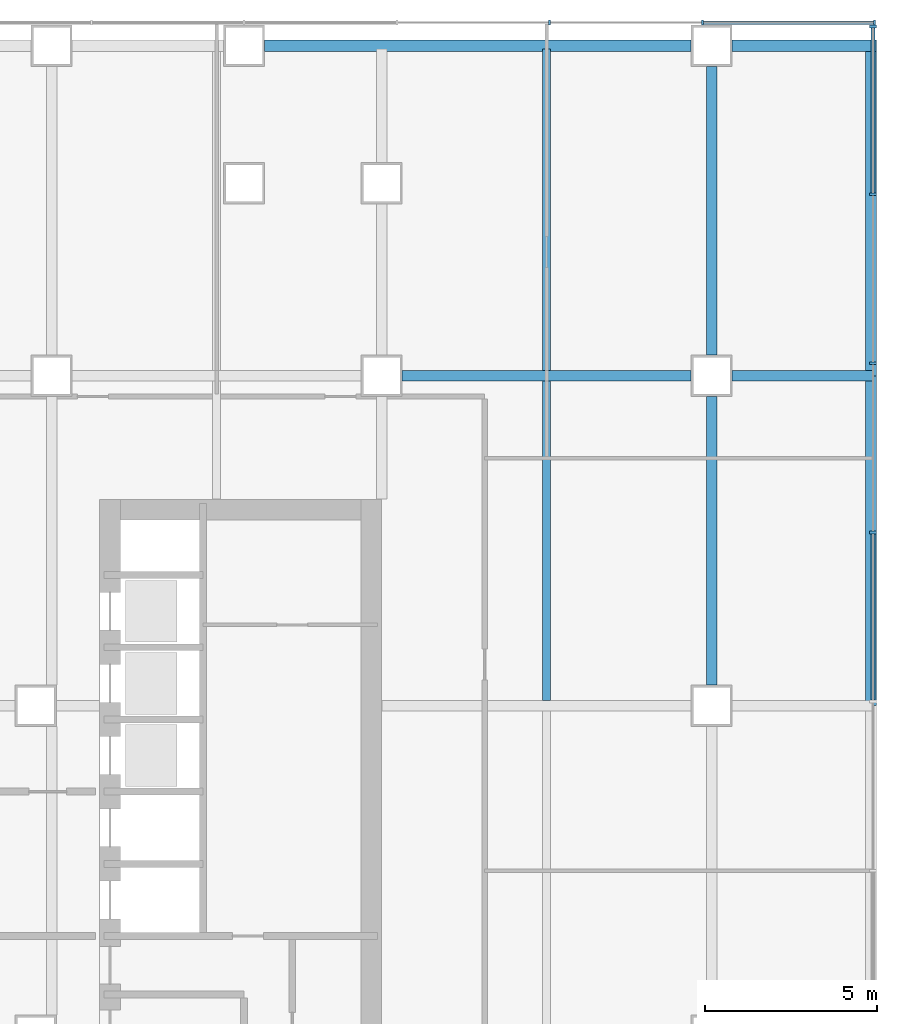
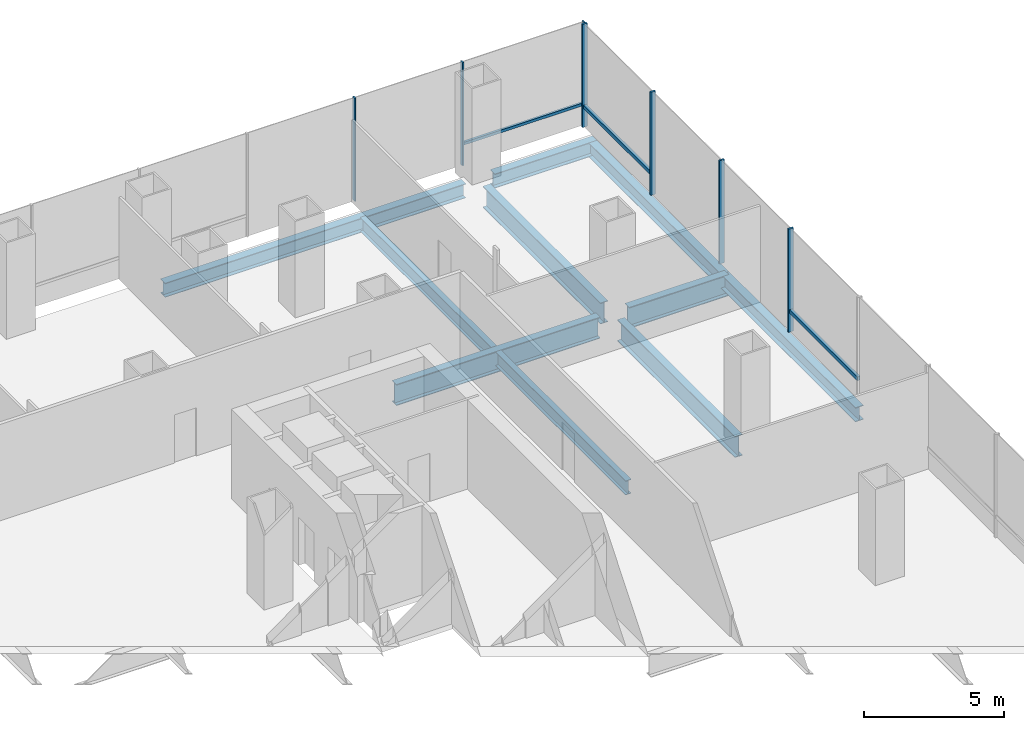
# One storey, part 13 of 23: 10 beams, 10 members, 2 elements without a shape of their own.
"""IFC4 building model written with IfcOpenShell, lengths in metres."""

from ifc_helpers import new_model, si_unit, direction, frame, origin, origin_2d, place, context, subcontext, project, spatial, rectangle, i_section, extrude, material, material_profile, profile_set, type_object, element, aggregate, save


model = new_model("IFC4")

# Units and contexts
model_context = context("Model", 3, precision=1e-05, world=origin(), true_north=direction((0.0, 1.0)))
body_context = subcontext(model_context, "Body", "Model", "MODEL_VIEW")
ifc_project = project(units=[si_unit("LENGTHUNIT", "METRE"), si_unit("AREAUNIT", "SQUARE_METRE"), si_unit("VOLUMEUNIT", "CUBIC_METRE"), si_unit("PLANEANGLEUNIT", "RADIAN"), si_unit("MASSUNIT", "GRAM", prefix="KILO")], contexts=[model_context])

# Site, building, storey
site_placement = place(None, origin())
site = spatial("IfcSite", under=ifc_project, at=site_placement, CompositionType="ELEMENT")
building_placement = place(site_placement, origin())
building = spatial("IfcBuilding", under=site, at=building_placement, Name="Cobrizo Arcos Hotel Tower", CompositionType="ELEMENT")
storey_placement = place(building_placement, frame((0.0, 0.0, 29.0)))
storey = spatial("IfcBuildingStorey", under=building, at=storey_placement, Name="L05", CompositionType="ELEMENT", Elevation=29.0)

# Curtain wall, members
ifc_material_1 = material(Name="Aluminium 6063-T6 anodised bronze", Category="aluminium")
curtain_wall_type_1 = type_object("IfcCurtainWallType", Name="CW-A guest facade", PredefinedType="NOTDEFINED", material=ifc_material_1)
curtain_wall_1_placement = place(storey_placement, origin())
curtain_wall_1 = element("IfcCurtainWall", 1, at=curtain_wall_1_placement, inside=storey, type_object=curtain_wall_type_1, Name="CW-A L05 N face", PredefinedType="NOTDEFINED")
ifc_material_profile_1 = material_profile(ifc_material_1, rectangle(XDim=0.14990234375, YDim=0.06005859375, at=origin_2d()), Name="CW-A mullion 150x60")
ifc_profile_set_1 = profile_set([ifc_material_profile_1], Name="Aluminium 6063-T6 anodised bronze")
member_type_1 = type_object("IfcMemberType", Name="CW-A mullion 150x60", PredefinedType="MULLION", material=ifc_profile_set_1)
member_1_placement = place(storey_placement, frame((38.344970703125, 24.675048828125, 0.0), z_axis=(0.0, 0.0, 1.0), x_axis=(0.0, 1.0, 0.0)))
member_1 = element("IfcMember", 2, at=member_1_placement, type_object=member_type_1, Name="CW-A mullion 1", PredefinedType="MULLION", context=body_context, shape_type="SweptSolid", body=[
    extrude(rectangle(XDim=0.14990234375, YDim=0.06005859375, at=origin_2d()), origin(), (0.0, 0.0, 1.0), 4.5),
])
member_2_placement = place(storey_placement, frame((33.333251953125, 24.675048828125, 0.0), z_axis=(0.0, 0.0, 1.0), x_axis=(0.0, 1.0, 0.0)))
member_2 = element("IfcMember", 3, at=member_2_placement, type_object=member_type_1, Name="CW-A mullion 2", PredefinedType="MULLION", context=body_context, shape_type="SweptSolid", body=[
    extrude(rectangle(XDim=0.14990234375, YDim=0.06005859375, at=origin_2d()), origin(), (0.0, 0.0, 1.0), 4.5),
])
member_3_placement = place(storey_placement, frame((28.888916015625, 24.675048828125, 0.0), z_axis=(0.0, 0.0, 1.0), x_axis=(0.0, 1.0, 0.0)))
member_3 = element("IfcMember", 4, at=member_3_placement, type_object=member_type_1, Name="CW-A mullion 3", PredefinedType="MULLION", context=body_context, shape_type="SweptSolid", body=[
    extrude(rectangle(XDim=0.14990234375, YDim=0.06005859375, at=origin_2d()), origin(), (0.0, 0.0, 1.0), 4.5),
])
ifc_material_profile_2 = material_profile(ifc_material_1, rectangle(XDim=0.10009765625, YDim=0.1201171875, at=origin_2d()), Name="CW-A transom 120x100")
ifc_profile_set_2 = profile_set([ifc_material_profile_2], Name="Aluminium 6063-T6 anodised bronze")
member_type_2 = type_object("IfcMemberType", Name="CW-A transom 120x100", PredefinedType="USERDEFINED", material=ifc_profile_set_2)
member_4_placement = place(storey_placement, frame((38.31494140625, 24.675048828125, 0.929931640625), z_axis=(-1.0, 0.0, 0.0), x_axis=(0.0, -1.0, 0.0)))
member_4 = element("IfcMember", 5, at=member_4_placement, type_object=member_type_2, Name="CW-A transom 279", ObjectType="TRANSOM", PredefinedType="USERDEFINED", context=body_context, shape_type="SweptSolid", body=[
    extrude(rectangle(XDim=0.10009765625, YDim=0.1201171875, at=origin_2d()), origin(), (0.0, 0.0, 1.0), 4.95166015625),
])
aggregate(curtain_wall_1, [member_1, member_2, member_3, member_4])

curtain_wall_type_2 = type_object("IfcCurtainWallType", Name="CW-B podium glazing", PredefinedType="NOTDEFINED", material=ifc_material_1)
curtain_wall_2_placement = place(storey_placement, origin())
curtain_wall_2 = element("IfcCurtainWall", 6, at=curtain_wall_2_placement, inside=storey, type_object=curtain_wall_type_2, Name="CW-B L05 E face", PredefinedType="NOTDEFINED")
ifc_material_profile_3 = material_profile(ifc_material_1, rectangle(XDim=0.199951171875, YDim=0.080078125, at=origin_2d()), Name="CW-B mullion 200x80")
ifc_profile_set_3 = profile_set([ifc_material_profile_3], Name="Aluminium 6063-T6 anodised bronze")
member_type_3 = type_object("IfcMemberType", Name="CW-B mullion 200x80", PredefinedType="MULLION", material=ifc_profile_set_3)
member_5_placement = place(storey_placement, frame((38.300048828125, 9.840087890625, 0.0), z_axis=(0.0, 0.0, 1.0), x_axis=(1.0, 0.0, 0.0)))
member_5 = element("IfcMember", 7, at=member_5_placement, type_object=member_type_3, Name="CW-B mullion 8", PredefinedType="MULLION", context=body_context, shape_type="SweptSolid", body=[
    extrude(rectangle(XDim=0.199951171875, YDim=0.080078125, at=origin_2d()), origin(), (0.0, 0.0, 1.0), 4.5),
])
member_6_placement = place(storey_placement, frame((38.300048828125, 14.760009765625, 0.0), z_axis=(0.0, 0.0, 1.0), x_axis=(1.0, 0.0, 0.0)))
member_6 = element("IfcMember", 8, at=member_6_placement, type_object=member_type_3, Name="CW-B mullion 9", PredefinedType="MULLION", context=body_context, shape_type="SweptSolid", body=[
    extrude(rectangle(XDim=0.199951171875, YDim=0.080078125, at=origin_2d()), origin(), (0.0, 0.0, 1.0), 4.5),
])
member_7_placement = place(storey_placement, frame((38.300048828125, 19.679931640625, 0.0), z_axis=(0.0, 0.0, 1.0), x_axis=(1.0, 0.0, 0.0)))
member_7 = element("IfcMember", 9, at=member_7_placement, type_object=member_type_3, Name="CW-B mullion 10", PredefinedType="MULLION", context=body_context, shape_type="SweptSolid", body=[
    extrude(rectangle(XDim=0.199951171875, YDim=0.080078125, at=origin_2d()), origin(), (0.0, 0.0, 1.0), 4.5),
])
member_8_placement = place(storey_placement, frame((38.300048828125, 24.56005859375, 0.0), z_axis=(0.0, 0.0, 1.0), x_axis=(1.0, 0.0, 0.0)))
member_8 = element("IfcMember", 10, at=member_8_placement, type_object=member_type_3, Name="CW-B mullion 11", PredefinedType="MULLION", context=body_context, shape_type="SweptSolid", body=[
    extrude(rectangle(XDim=0.199951171875, YDim=0.080078125, at=origin_2d()), origin(), (0.0, 0.0, 1.0), 4.5),
])
ifc_material_profile_4 = material_profile(ifc_material_1, rectangle(XDim=0.1201171875, YDim=0.159912109375, at=origin_2d()), Name="CW-B transom 160x120")
ifc_profile_set_4 = profile_set([ifc_material_profile_4], Name="Aluminium 6063-T6 anodised bronze")
member_type_4 = type_object("IfcMemberType", Name="CW-B transom 160x120", PredefinedType="USERDEFINED", material=ifc_profile_set_4)
member_9_placement = place(storey_placement, frame((38.300048828125, 4.9599609375, 0.89990234375), z_axis=(0.0, 1.0, 0.0), x_axis=(-1.0, 0.0, 0.0)))
member_9 = element("IfcMember", 11, at=member_9_placement, type_object=member_type_4, Name="CW-B transom 275", ObjectType="TRANSOM", PredefinedType="USERDEFINED", context=body_context, shape_type="SweptSolid", body=[
    extrude(rectangle(XDim=0.1201171875, YDim=0.159912109375, at=origin_2d()), origin(), (0.0, 0.0, 1.0), 4.840087890625),
])
member_10_placement = place(storey_placement, frame((38.300048828125, 19.719970703125, 0.89990234375), z_axis=(0.0, 1.0, 0.0), x_axis=(-1.0, 0.0, 0.0)))
member_10 = element("IfcMember", 12, at=member_10_placement, type_object=member_type_4, Name="CW-B transom 278", ObjectType="TRANSOM", PredefinedType="USERDEFINED", context=body_context, shape_type="SweptSolid", body=[
    extrude(rectangle(XDim=0.1201171875, YDim=0.159912109375, at=origin_2d()), origin(), (0.0, 0.0, 1.0), 4.800048828125),
])
aggregate(curtain_wall_2, [member_5, member_6, member_7, member_8, member_9, member_10])

# Beams
ifc_material_2 = material(Name="Steel ASTM A992 Grade 50", Category="steel")
ifc_material_profile_5 = material_profile(ifc_material_2, i_section(OverallWidth=0.32763671875, OverallDepth=0.622314453125, WebThickness=0.015380859375, FlangeThickness=0.0244140625, at=origin_2d()), Name="W24X131")
ifc_profile_set_5 = profile_set([ifc_material_profile_5], Name="Steel ASTM A992 Grade 50")
beam_type_1 = type_object("IfcBeamType", Name="W24X131 edge beam", PredefinedType="BEAM", material=ifc_profile_set_5)
beam_1_placement = place(storey_placement, frame((38.236083984375, 4.800048828125, -0.51123046875), z_axis=(0.0, 1.0, 0.0), x_axis=(-1.0, 0.0, 0.0)))
element("IfcBeam", 13, at=beam_1_placement, inside=storey, type_object=beam_type_1, Name="Edge beam EB1, L05, no. 004", PredefinedType="BEAM", context=body_context, shape_type="SweptSolid", body=[
    extrude(i_section(OverallWidth=0.32763671875, OverallDepth=0.622314453125, WebThickness=0.015380859375, FlangeThickness=0.0244140625, at=origin_2d()), origin(), (0.0, 0.0, 1.0), 9.599853515625),
])
beam_2_placement = place(storey_placement, frame((38.236083984375, 14.39990234375, -0.51123046875), z_axis=(0.0, 1.0, 0.0), x_axis=(-1.0, 0.0, 0.0)))
element("IfcBeam", 14, at=beam_2_placement, inside=storey, type_object=beam_type_1, Name="Edge beam EB1, L05, no. 005", PredefinedType="BEAM", context=body_context, shape_type="SweptSolid", body=[
    extrude(i_section(OverallWidth=0.32763671875, OverallDepth=0.622314453125, WebThickness=0.015380859375, FlangeThickness=0.0244140625, at=origin_2d()), origin(), (0.0, 0.0, 1.0), 9.60009765625),
])
beam_3_placement = place(storey_placement, frame((38.39990234375, 24.0, -0.51123046875), z_axis=(-1.0, 0.0, 0.0), x_axis=(0.0, -1.0, 0.0)))
element("IfcBeam", 15, at=beam_3_placement, inside=storey, type_object=beam_type_1, Name="Edge beam EB1, L05, no. 006", PredefinedType="BEAM", context=body_context, shape_type="SweptSolid", body=[
    extrude(i_section(OverallWidth=0.32763671875, OverallDepth=0.622314453125, WebThickness=0.015380859375, FlangeThickness=0.0244140625, at=origin_2d()), origin(), (0.0, 0.0, 1.0), 4.199951171875),
])
ifc_material_profile_6 = material_profile(ifc_material_2, i_section(OverallWidth=0.32763671875, OverallDepth=0.622314453125, WebThickness=0.015380859375, FlangeThickness=0.0244140625, at=origin_2d()), Name="W24X131")
ifc_profile_set_6 = profile_set([ifc_material_profile_6], Name="Steel ASTM A992 Grade 50")
beam_type_2 = type_object("IfcBeamType", Name="W24X131 spandrel", PredefinedType="SPANDREL", material=ifc_profile_set_6)
beam_4_placement = place(storey_placement, frame((33.0, 24.0, -0.51123046875), z_axis=(-1.0, 0.0, 0.0), x_axis=(0.0, -1.0, 0.0)))
element("IfcBeam", 16, at=beam_4_placement, inside=storey, type_object=beam_type_2, Name="Spandrel beam W24X131, L05, no. 001", PredefinedType="SPANDREL", context=body_context, shape_type="SweptSolid", body=[
    extrude(i_section(OverallWidth=0.32763671875, OverallDepth=0.622314453125, WebThickness=0.015380859375, FlangeThickness=0.0244140625, at=origin_2d()), origin(), (0.0, 0.0, 1.0), 12.39990234375),
])
ifc_material_profile_7 = material_profile(ifc_material_2, i_section(OverallWidth=0.23046875, OverallDepth=0.6171875, WebThickness=0.01318359375, FlangeThickness=0.022216796875, at=origin_2d()), Name="W24X94")
ifc_profile_set_7 = profile_set([ifc_material_profile_7], Name="Steel ASTM A992 Grade 50")
beam_type_3 = type_object("IfcBeamType", Name="W24X94 podium joist", PredefinedType="JOIST", material=ifc_profile_set_7)
beam_5_placement = place(storey_placement, frame((28.800048828125, 4.95361328125, -0.508544921875), z_axis=(0.0, 1.0, 0.0), x_axis=(-1.0, 0.0, 0.0)))
element("IfcBeam", 17, at=beam_5_placement, inside=storey, type_object=beam_type_3, Name="Podium joist PJ1, L05, no. 032", PredefinedType="JOIST", context=body_context, shape_type="SweptSolid", body=[
    extrude(i_section(OverallWidth=0.23046875, OverallDepth=0.6171875, WebThickness=0.01318359375, FlangeThickness=0.022216796875, at=origin_2d()), origin(), (0.0, 0.0, 1.0), 9.292724609375),
])
beam_6_placement = place(storey_placement, frame((28.800048828125, 14.5537109375, -0.508544921875), z_axis=(0.0, 1.0, 0.0), x_axis=(-1.0, 0.0, 0.0)))
element("IfcBeam", 18, at=beam_6_placement, inside=storey, type_object=beam_type_3, Name="Podium joist PJ1, L05, no. 033", PredefinedType="JOIST", context=body_context, shape_type="SweptSolid", body=[
    extrude(i_section(OverallWidth=0.23046875, OverallDepth=0.6171875, WebThickness=0.01318359375, FlangeThickness=0.022216796875, at=origin_2d()), origin(), (0.0, 0.0, 1.0), 9.356201171875),
])
ifc_material_profile_8 = material_profile(ifc_material_2, i_section(OverallWidth=0.307373046875, OverallDepth=0.927001953125, WebThickness=0.01953125, FlangeThickness=0.031982421875, at=origin_2d()), Name="W36X194")
ifc_profile_set_8 = profile_set([ifc_material_profile_8], Name="Steel ASTM A992 Grade 50")
beam_type_4 = type_object("IfcBeamType", Name="W36X194 podium girder", PredefinedType="BEAM", material=ifc_profile_set_8)
beam_7_placement = place(storey_placement, frame((24.60009765625, 14.39990234375, -0.66357421875), z_axis=(1.0, 0.0, 0.0), x_axis=(0.0, 1.0, 0.0)))
element("IfcBeam", 19, at=beam_7_placement, inside=storey, type_object=beam_type_4, Name="Podium girder PG1, L05, no. 033", PredefinedType="BEAM", context=body_context, shape_type="SweptSolid", body=[
    extrude(i_section(OverallWidth=0.307373046875, OverallDepth=0.927001953125, WebThickness=0.01953125, FlangeThickness=0.031982421875, at=origin_2d()), origin(), (0.0, 0.0, 1.0), 8.39990234375),
])
beam_8_placement = place(storey_placement, frame((34.199951171875, 14.39990234375, -0.66357421875), z_axis=(1.0, 0.0, 0.0), x_axis=(0.0, 1.0, 0.0)))
element("IfcBeam", 20, at=beam_8_placement, inside=storey, type_object=beam_type_4, Name="Podium girder PG1, L05, no. 034", PredefinedType="BEAM", context=body_context, shape_type="SweptSolid", body=[
    extrude(i_section(OverallWidth=0.307373046875, OverallDepth=0.927001953125, WebThickness=0.01953125, FlangeThickness=0.031982421875, at=origin_2d()), origin(), (0.0, 0.0, 1.0), 4.110107421875),
])
beam_9_placement = place(storey_placement, frame((33.60009765625, 5.39990234375, -0.66357421875), z_axis=(0.0, 1.0, 0.0), x_axis=(-1.0, 0.0, 0.0)))
element("IfcBeam", 21, at=beam_9_placement, inside=storey, type_object=beam_type_4, Name="Podium girder PG1, L05, no. 075", PredefinedType="BEAM", context=body_context, shape_type="SweptSolid", body=[
    extrude(i_section(OverallWidth=0.307373046875, OverallDepth=0.927001953125, WebThickness=0.01953125, FlangeThickness=0.031982421875, at=origin_2d()), origin(), (0.0, 0.0, 1.0), 8.400146484375),
])
beam_10_placement = place(storey_placement, frame((33.60009765625, 15.0, -0.66357421875), z_axis=(0.0, 1.0, 0.0), x_axis=(-1.0, 0.0, 0.0)))
element("IfcBeam", 22, at=beam_10_placement, inside=storey, type_object=beam_type_4, Name="Podium girder PG1, L05, no. 076", PredefinedType="BEAM", context=body_context, shape_type="SweptSolid", body=[
    extrude(i_section(OverallWidth=0.307373046875, OverallDepth=0.927001953125, WebThickness=0.01953125, FlangeThickness=0.031982421875, at=origin_2d()), origin(), (0.0, 0.0, 1.0), 8.39990234375),
])

save(model, "model.ifc")
